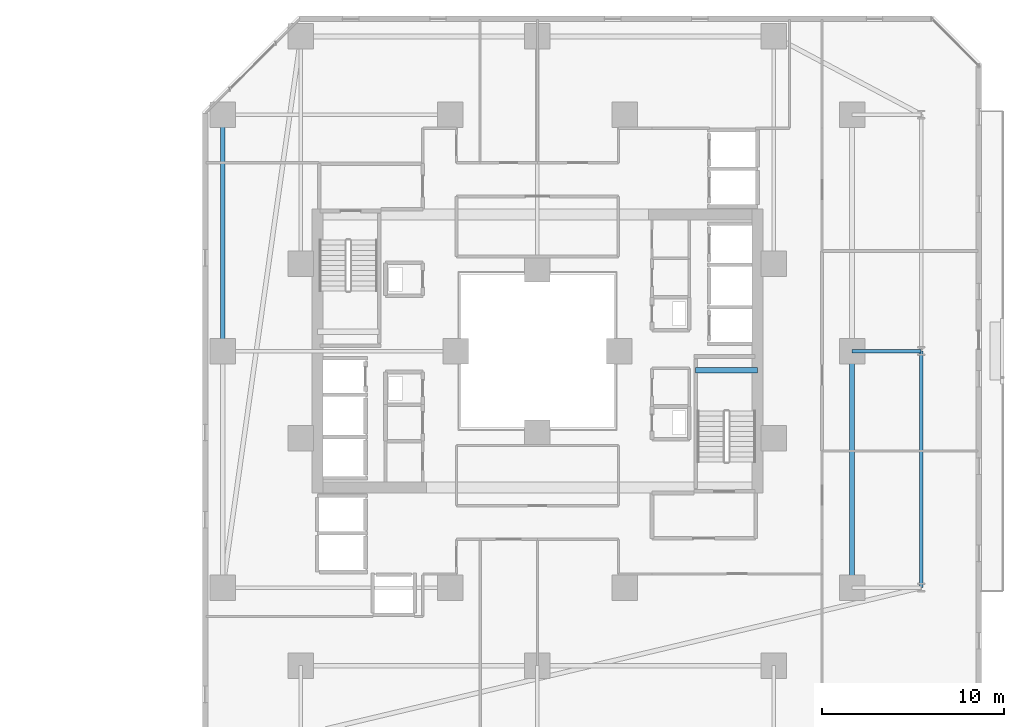
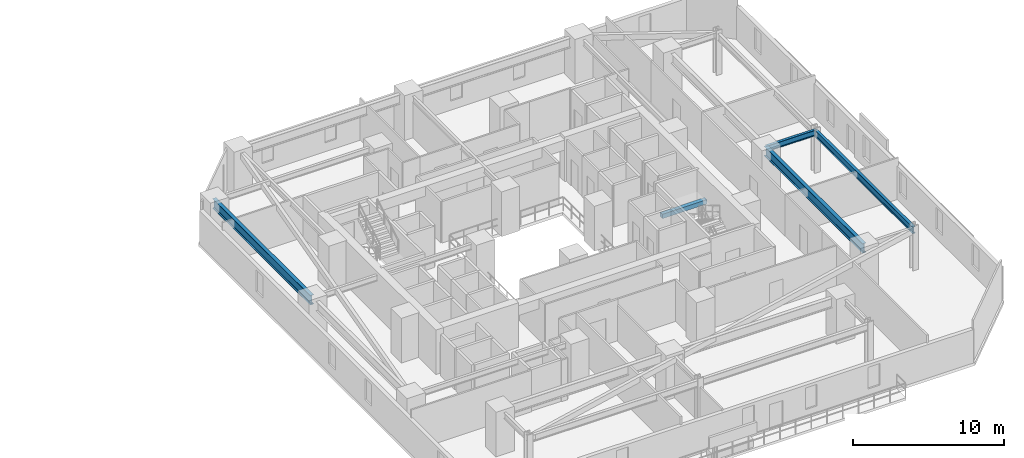
# One storey, part 13 of 33: 5 beams.
"""IFC4 building model written with IfcOpenShell, lengths in metres."""

from ifc_helpers import new_model, si_unit, direction, frame, origin, origin_2d, place, context, subcontext, project, spatial, rectangle, i_section, extrude, material, material_profile, profile_set, type_object, element, save


model = new_model("IFC4")

# Units and contexts
model_context = context("Model", 3, precision=1e-05, world=origin(), true_north=direction((0.0, 1.0)))
body_context = subcontext(model_context, "Body", "Model", "MODEL_VIEW")
ifc_project = project(units=[si_unit("LENGTHUNIT", "METRE"), si_unit("AREAUNIT", "SQUARE_METRE"), si_unit("VOLUMEUNIT", "CUBIC_METRE"), si_unit("PLANEANGLEUNIT", "RADIAN"), si_unit("MASSUNIT", "GRAM", prefix="KILO")], contexts=[model_context])

# Site, building, storey
site_placement = place(None, origin())
site = spatial("IfcSite", under=ifc_project, at=site_placement, CompositionType="ELEMENT")
building_placement = place(site_placement, origin())
building = spatial("IfcBuilding", under=site, at=building_placement, Name="Thornwick Lancets Civic Towers", CompositionType="ELEMENT")
storey_placement = place(building_placement, frame((0.0, 0.0, 38.699951171875)))
storey = spatial("IfcBuildingStorey", under=building, at=storey_placement, Name="L09", CompositionType="ELEMENT", Elevation=38.699951171875)

# Beams
ifc_material_1 = material(Name="Steel S355JR", Category="steel")
ifc_material_profile_1 = material_profile(ifc_material_1, i_section(OverallWidth=0.2119140625, OverallDepth=0.54443359375, WebThickness=0.0126953125, FlangeThickness=0.021240234375, FilletRadius=0.0126953125, at=origin_2d()), Name="UKB 533x210x122")
ifc_profile_set_1 = profile_set([ifc_material_profile_1], Name="Steel S355JR")
beam_type_1 = type_object("IfcBeamType", Name="BM_EDGE_533_122", PredefinedType="SPANDREL", material=ifc_profile_set_1)
beam_1_placement = place(storey_placement, frame((109.60009765625, 14.0, 3.087890625), z_axis=(0.0, 1.0, 0.0), x_axis=(-1.0, 0.0, 0.0)))
element("IfcBeam", 1, at=beam_1_placement, inside=storey, type_object=beam_type_1, Name="BM-EDGE-L09-B-S0-1", PredefinedType="SPANDREL", context=body_context, shape_type="SweptSolid", body=[
    extrude(i_section(OverallWidth=0.2119140625, OverallDepth=0.54443359375, WebThickness=0.0126953125, FlangeThickness=0.021240234375, FilletRadius=0.0126953125, at=origin_2d()), origin(), (0.0, 0.0, 1.0), 13.0),
])
ifc_material_profile_2 = material_profile(ifc_material_1, i_section(OverallWidth=0.26806640625, OverallDepth=0.769775390625, WebThickness=0.015625, FlangeThickness=0.025390625, FilletRadius=0.0166015625, at=origin_2d()), Name="UKB 762x267x197")
ifc_profile_set_2 = profile_set([ifc_material_profile_2], Name="Steel S355JR")
beam_type_2 = type_object("IfcBeamType", Name="BM_GIRD_762_197", PredefinedType="BEAM", material=ifc_profile_set_2)
beam_2_placement = place(storey_placement, frame((105.800048828125, 14.0, 2.97509765625), z_axis=(0.0, 1.0, 0.0), x_axis=(-1.0, 0.0, 0.0)))
element("IfcBeam", 2, at=beam_2_placement, inside=storey, type_object=beam_type_2, Name="BM-SPINE-L09-B-0-1", PredefinedType="BEAM", context=body_context, shape_type="SweptSolid", body=[
    extrude(i_section(OverallWidth=0.26806640625, OverallDepth=0.769775390625, WebThickness=0.015625, FlangeThickness=0.025390625, FilletRadius=0.0166015625, at=origin_2d()), origin(), (0.0, 0.0, 1.0), 13.0),
])
beam_3_placement = place(storey_placement, frame((71.199951171875, 27.080078125, 2.97509765625), z_axis=(0.0, 1.0, 0.0), x_axis=(-1.0, 0.0, 0.0)))
element("IfcBeam", 3, at=beam_3_placement, inside=storey, type_object=beam_type_2, Name="BM-SPINE-L09-B-7-8", PredefinedType="BEAM", context=body_context, shape_type="SweptSolid", body=[
    extrude(i_section(OverallWidth=0.26806640625, OverallDepth=0.769775390625, WebThickness=0.015625, FlangeThickness=0.025390625, FilletRadius=0.0166015625, at=origin_2d()), origin(), (0.0, 0.0, 1.0), 12.919921875),
])
ifc_material_profile_3 = material_profile(ifc_material_1, i_section(OverallWidth=0.19189453125, OverallDepth=0.46337890625, WebThickness=0.010498046875, FlangeThickness=0.017578125, FilletRadius=0.01025390625, at=origin_2d()), Name="UKB 457x191x89")
ifc_profile_set_3 = profile_set([ifc_material_profile_3], Name="Steel S355JR")
beam_type_3 = type_object("IfcBeamType", Name="BM_JOIST_457_89", PredefinedType="JOIST", material=ifc_profile_set_3)
beam_4_placement = place(storey_placement, frame((105.800048828125, 27.0, 3.12841796875), z_axis=(1.0, 0.0, 0.0), x_axis=(0.0, 1.0, 0.0)))
element("IfcBeam", 4, at=beam_4_placement, inside=storey, type_object=beam_type_3, Name="BM-RAD-L09-B02", PredefinedType="JOIST", context=body_context, shape_type="SweptSolid", body=[
    extrude(i_section(OverallWidth=0.19189453125, OverallDepth=0.46337890625, WebThickness=0.010498046875, FlangeThickness=0.017578125, FilletRadius=0.01025390625, at=origin_2d()), origin(), (0.0, 0.0, 1.0), 3.800048828125),
])
ifc_material_2 = material(Name="Concrete C40/50", Category="concrete")
ifc_material_profile_4 = material_profile(ifc_material_2, rectangle(XDim=0.300048828125, YDim=0.35009765625, at=origin_2d()), Name="RC 300x350")
ifc_profile_set_4 = profile_set([ifc_material_profile_4], Name="Concrete C40/50")
beam_type_4 = type_object("IfcBeamType", Name="BM_STAIR_LDG", PredefinedType="BEAM", material=ifc_profile_set_4)
beam_5_placement = place(storey_placement, frame((100.60009765625, 25.93505859375, 1.3779296875), z_axis=(-1.0, 0.0, 0.0), x_axis=(0.0, -1.0, 0.0)))
element("IfcBeam", 5, at=beam_5_placement, inside=storey, type_object=beam_type_4, Name="L09 ST-B1 Landing Support Beam 1", PredefinedType="BEAM", context=body_context, shape_type="SweptSolid", body=[
    extrude(rectangle(XDim=0.300048828125, YDim=0.35009765625, at=origin_2d()), origin(), (0.0, 0.0, 1.0), 3.400146484375),
])

save(model, "model.ifc")
